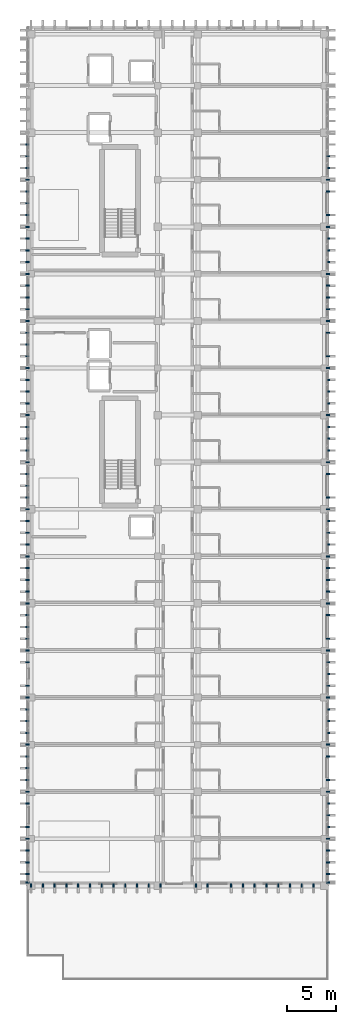
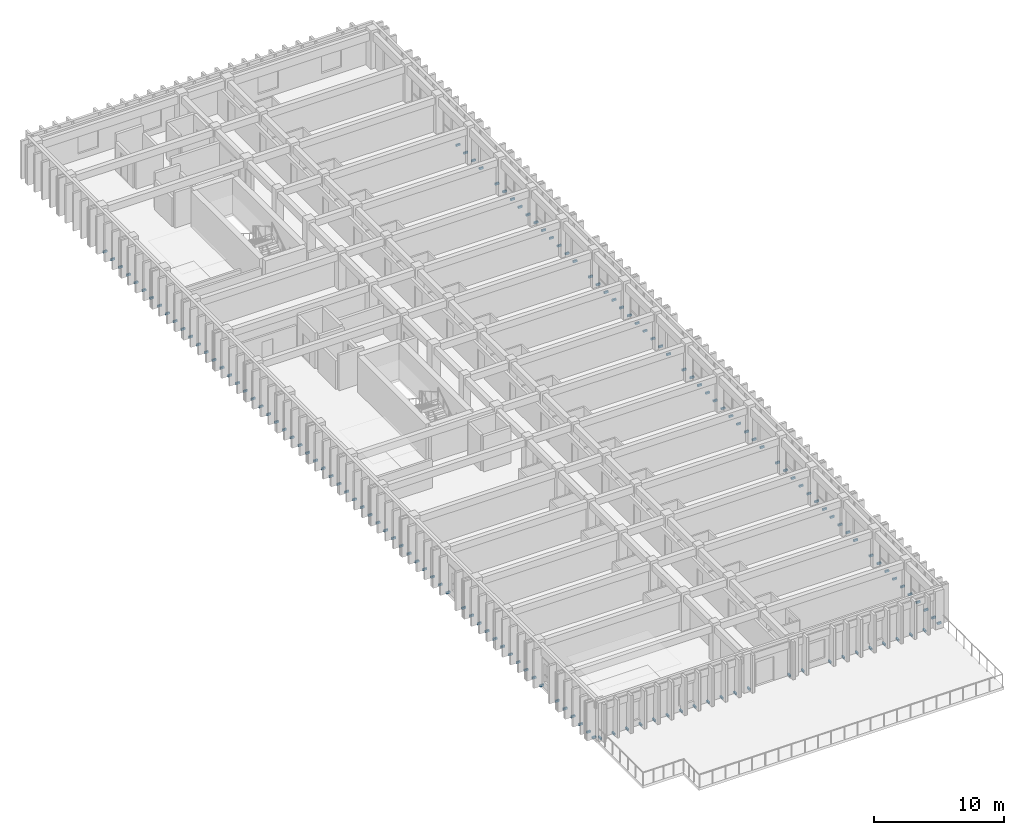
# One storey, part 56 of 64: 142 discrete accessories.
"""IFC4 building model written with IfcOpenShell, lengths in metres."""

from ifc_helpers import new_model, si_unit, direction, frame, origin, origin_2d, place, context, subcontext, project, spatial, rectangle, extrude, material, type_object, element, save


model = new_model("IFC4")

# Units and contexts
model_context = context("Model", 3, precision=1e-05, world=origin(), true_north=direction((0.0, 1.0)))
body_context = subcontext(model_context, "Body", "Model", "MODEL_VIEW")
ifc_project = project(units=[si_unit("LENGTHUNIT", "METRE"), si_unit("AREAUNIT", "SQUARE_METRE"), si_unit("VOLUMEUNIT", "CUBIC_METRE"), si_unit("PLANEANGLEUNIT", "RADIAN"), si_unit("MASSUNIT", "GRAM", prefix="KILO")], contexts=[model_context])

# Site, building, storey
site_placement = place(None, origin())
site = spatial("IfcSite", under=ifc_project, at=site_placement, CompositionType="ELEMENT")
building_placement = place(site_placement, origin())
building = spatial("IfcBuilding", under=site, at=building_placement, Name="Nakhvara Creek Congress Hotel", CompositionType="ELEMENT")
storey_placement = place(building_placement, frame((0.0, 0.0, 28.199951171875)))
storey = spatial("IfcBuildingStorey", under=building, at=storey_placement, Name="L06", CompositionType="ELEMENT", Elevation=28.199951171875)

# Discrete accessories
ifc_material = material(Name="Brushed stainless steel 316L", Category="steel")
discrete_accessory_type = type_object("IfcDiscreteAccessoryType", Name="ACC-BRK-SS316", PredefinedType="BRACKET", material=ifc_material)
for number, where, z_axis, x_axis, name in (
    (1, (179.72998046875, 38.75, -0.10986328125), (0.0, 0.0, 1.0), (0.0, 1.0, 0.0), "Stainless Fin Bracket BK01-1485"),
    (2, (149.070068359375, 38.75, -0.10986328125), (0.0, 0.0, 1.0), (0.0, 1.0, 0.0), "Stainless Fin Bracket BK01-1486"),
    (3, (179.72998046875, 39.60009765625, -0.10986328125), (0.0, 0.0, 1.0), (0.0, 1.0, 0.0), "Stainless Fin Bracket BK01-1487"),
    (4, (149.070068359375, 39.60009765625, -0.10986328125), (0.0, 0.0, 1.0), (0.0, 1.0, 0.0), "Stainless Fin Bracket BK01-1488"),
    (5, (179.72998046875, 40.800048828125, -0.10986328125), (0.0, 0.0, 1.0), (0.0, 1.0, 0.0), "Stainless Fin Bracket BK01-1489"),
    (6, (149.070068359375, 40.800048828125, -0.10986328125), (0.0, 0.0, 1.0), (0.0, 1.0, 0.0), "Stainless Fin Bracket BK01-1490"),
    (7, (179.72998046875, 42.0, -0.10986328125), (0.0, 0.0, 1.0), (0.0, 1.0, 0.0), "Stainless Fin Bracket BK01-1491"),
    (8, (149.070068359375, 42.0, -0.10986328125), (0.0, 0.0, 1.0), (0.0, 1.0, 0.0), "Stainless Fin Bracket BK01-1492"),
    (9, (179.72998046875, 43.199951171875, -0.10986328125), (0.0, 0.0, 1.0), (0.0, 1.0, 0.0), "Stainless Fin Bracket BK01-1493"),
    (10, (149.070068359375, 43.199951171875, -0.10986328125), (0.0, 0.0, 1.0), (0.0, 1.0, 0.0), "Stainless Fin Bracket BK01-1494"),
    (11, (179.72998046875, 44.39990234375, -0.10986328125), (0.0, 0.0, 1.0), (0.0, 1.0, 0.0), "Stainless Fin Bracket BK01-1495"),
    (12, (149.070068359375, 44.39990234375, -0.10986328125), (0.0, 0.0, 1.0), (0.0, 1.0, 0.0), "Stainless Fin Bracket BK01-1496"),
    (13, (179.72998046875, 45.60009765625, -0.10986328125), (0.0, 0.0, 1.0), (0.0, 1.0, 0.0), "Stainless Fin Bracket BK01-1497"),
    (14, (179.72998046875, 46.800048828125, -0.10986328125), (0.0, 0.0, 1.0), (0.0, 1.0, 0.0), "Stainless Fin Bracket BK01-1498"),
    (15, (149.070068359375, 46.800048828125, -0.10986328125), (0.0, 0.0, 1.0), (0.0, 1.0, 0.0), "Stainless Fin Bracket BK01-1499"),
    (16, (179.72998046875, 48.0, -0.10986328125), (0.0, 0.0, 1.0), (0.0, 1.0, 0.0), "Stainless Fin Bracket BK01-1500"),
    (17, (149.070068359375, 48.0, -0.10986328125), (0.0, 0.0, 1.0), (0.0, 1.0, 0.0), "Stainless Fin Bracket BK01-1501"),
    (18, (179.72998046875, 49.199951171875, -0.10986328125), (0.0, 0.0, 1.0), (0.0, 1.0, 0.0), "Stainless Fin Bracket BK01-1502"),
    (19, (149.070068359375, 49.199951171875, -0.10986328125), (0.0, 0.0, 1.0), (0.0, 1.0, 0.0), "Stainless Fin Bracket BK01-1503"),
    (20, (149.070068359375, 50.39990234375, -0.10986328125), (0.0, 0.0, 1.0), (0.0, 1.0, 0.0), "Stainless Fin Bracket BK01-1504"),
    (21, (179.72998046875, 51.60009765625, -0.10986328125), (0.0, 0.0, 1.0), (0.0, 1.0, 0.0), "Stainless Fin Bracket BK01-1505"),
    (22, (149.070068359375, 51.60009765625, -0.10986328125), (0.0, 0.0, 1.0), (0.0, 1.0, 0.0), "Stainless Fin Bracket BK01-1506"),
    (23, (179.72998046875, 52.800048828125, -0.10986328125), (0.0, 0.0, 1.0), (0.0, 1.0, 0.0), "Stainless Fin Bracket BK01-1507"),
    (24, (149.070068359375, 52.800048828125, -0.10986328125), (0.0, 0.0, 1.0), (0.0, 1.0, 0.0), "Stainless Fin Bracket BK01-1508"),
    (25, (179.72998046875, 54.0, -0.10986328125), (0.0, 0.0, 1.0), (0.0, 1.0, 0.0), "Stainless Fin Bracket BK01-1509"),
    (26, (149.070068359375, 54.0, -0.10986328125), (0.0, 0.0, 1.0), (0.0, 1.0, 0.0), "Stainless Fin Bracket BK01-1510"),
    (27, (179.72998046875, 55.199951171875, -0.10986328125), (0.0, 0.0, 1.0), (0.0, 1.0, 0.0), "Stainless Fin Bracket BK01-1511"),
    (28, (149.070068359375, 55.199951171875, -0.10986328125), (0.0, 0.0, 1.0), (0.0, 1.0, 0.0), "Stainless Fin Bracket BK01-1512"),
    (29, (179.72998046875, 56.39990234375, -0.10986328125), (0.0, 0.0, 1.0), (0.0, 1.0, 0.0), "Stainless Fin Bracket BK01-1513"),
    (30, (149.070068359375, 56.39990234375, -0.10986328125), (0.0, 0.0, 1.0), (0.0, 1.0, 0.0), "Stainless Fin Bracket BK01-1514"),
    (31, (179.72998046875, 57.60009765625, -0.10986328125), (0.0, 0.0, 1.0), (0.0, 1.0, 0.0), "Stainless Fin Bracket BK01-1515"),
    (32, (149.070068359375, 57.60009765625, -0.10986328125), (0.0, 0.0, 1.0), (0.0, 1.0, 0.0), "Stainless Fin Bracket BK01-1516"),
    (33, (179.72998046875, 58.800048828125, -0.10986328125), (0.0, 0.0, 1.0), (0.0, 1.0, 0.0), "Stainless Fin Bracket BK01-1517"),
    (34, (149.070068359375, 58.800048828125, -0.10986328125), (0.0, 0.0, 1.0), (0.0, 1.0, 0.0), "Stainless Fin Bracket BK01-1518"),
    (35, (179.72998046875, 60.0, -0.10986328125), (0.0, 0.0, 1.0), (0.0, 1.0, 0.0), "Stainless Fin Bracket BK01-1519"),
    (36, (179.72998046875, 61.199951171875, -0.10986328125), (0.0, 0.0, 1.0), (0.0, 1.0, 0.0), "Stainless Fin Bracket BK01-1520"),
    (37, (149.070068359375, 61.199951171875, -0.10986328125), (0.0, 0.0, 1.0), (0.0, 1.0, 0.0), "Stainless Fin Bracket BK01-1521"),
    (38, (179.72998046875, 62.39990234375, -0.10986328125), (0.0, 0.0, 1.0), (0.0, 1.0, 0.0), "Stainless Fin Bracket BK01-1522"),
    (39, (149.070068359375, 62.39990234375, -0.10986328125), (0.0, 0.0, 1.0), (0.0, 1.0, 0.0), "Stainless Fin Bracket BK01-1523"),
    (40, (179.72998046875, 63.60009765625, -0.10986328125), (0.0, 0.0, 1.0), (0.0, 1.0, 0.0), "Stainless Fin Bracket BK01-1524"),
    (41, (149.070068359375, 63.60009765625, -0.10986328125), (0.0, 0.0, 1.0), (0.0, 1.0, 0.0), "Stainless Fin Bracket BK01-1525"),
    (42, (149.070068359375, 64.800048828125, -0.10986328125), (0.0, 0.0, 1.0), (0.0, 1.0, 0.0), "Stainless Fin Bracket BK01-1526"),
    (43, (179.72998046875, 66.0, -0.10986328125), (0.0, 0.0, 1.0), (0.0, 1.0, 0.0), "Stainless Fin Bracket BK01-1527"),
    (44, (149.070068359375, 66.0, -0.10986328125), (0.0, 0.0, 1.0), (0.0, 1.0, 0.0), "Stainless Fin Bracket BK01-1528"),
    (45, (179.72998046875, 67.199951171875, -0.10986328125), (0.0, 0.0, 1.0), (0.0, 1.0, 0.0), "Stainless Fin Bracket BK01-1529"),
    (46, (149.070068359375, 67.199951171875, -0.10986328125), (0.0, 0.0, 1.0), (0.0, 1.0, 0.0), "Stainless Fin Bracket BK01-1530"),
    (47, (179.72998046875, 68.39990234375, -0.10986328125), (0.0, 0.0, 1.0), (0.0, 1.0, 0.0), "Stainless Fin Bracket BK01-1531"),
    (48, (149.070068359375, 68.39990234375, -0.10986328125), (0.0, 0.0, 1.0), (0.0, 1.0, 0.0), "Stainless Fin Bracket BK01-1532"),
    (49, (179.72998046875, 69.60009765625, -0.10986328125), (0.0, 0.0, 1.0), (0.0, 1.0, 0.0), "Stainless Fin Bracket BK01-1533"),
    (50, (149.070068359375, 69.60009765625, -0.10986328125), (0.0, 0.0, 1.0), (0.0, 1.0, 0.0), "Stainless Fin Bracket BK01-1534"),
    (51, (179.72998046875, 70.800048828125, -0.10986328125), (0.0, 0.0, 1.0), (0.0, 1.0, 0.0), "Stainless Fin Bracket BK01-1535"),
    (52, (149.070068359375, 70.800048828125, -0.10986328125), (0.0, 0.0, 1.0), (0.0, 1.0, 0.0), "Stainless Fin Bracket BK01-1536"),
    (53, (179.72998046875, 72.0, -0.10986328125), (0.0, 0.0, 1.0), (0.0, 1.0, 0.0), "Stainless Fin Bracket BK01-1537"),
    (54, (149.070068359375, 72.0, -0.10986328125), (0.0, 0.0, 1.0), (0.0, 1.0, 0.0), "Stainless Fin Bracket BK01-1538"),
    (55, (179.72998046875, 73.199951171875, -0.10986328125), (0.0, 0.0, 1.0), (0.0, 1.0, 0.0), "Stainless Fin Bracket BK01-1539"),
    (56, (149.070068359375, 73.199951171875, -0.10986328125), (0.0, 0.0, 1.0), (0.0, 1.0, 0.0), "Stainless Fin Bracket BK01-1540"),
    (57, (179.72998046875, 74.39990234375, -0.10986328125), (0.0, 0.0, 1.0), (0.0, 1.0, 0.0), "Stainless Fin Bracket BK01-1541"),
    (58, (149.070068359375, 74.39990234375, -0.10986328125), (0.0, 0.0, 1.0), (0.0, 1.0, 0.0), "Stainless Fin Bracket BK01-1542"),
    (59, (179.72998046875, 75.60009765625, -0.10986328125), (0.0, 0.0, 1.0), (0.0, 1.0, 0.0), "Stainless Fin Bracket BK01-1543"),
    (60, (149.070068359375, 75.60009765625, -0.10986328125), (0.0, 0.0, 1.0), (0.0, 1.0, 0.0), "Stainless Fin Bracket BK01-1544"),
    (61, (179.72998046875, 76.800048828125, -0.10986328125), (0.0, 0.0, 1.0), (0.0, 1.0, 0.0), "Stainless Fin Bracket BK01-1545"),
    (62, (149.070068359375, 76.800048828125, -0.10986328125), (0.0, 0.0, 1.0), (0.0, 1.0, 0.0), "Stainless Fin Bracket BK01-1546"),
    (63, (179.72998046875, 78.0, -0.10986328125), (0.0, 0.0, 1.0), (0.0, 1.0, 0.0), "Stainless Fin Bracket BK01-1547"),
    (64, (149.070068359375, 78.0, -0.10986328125), (0.0, 0.0, 1.0), (0.0, 1.0, 0.0), "Stainless Fin Bracket BK01-1548"),
    (65, (149.070068359375, 79.199951171875, -0.10986328125), (0.0, 0.0, 1.0), (0.0, 1.0, 0.0), "Stainless Fin Bracket BK01-1549"),
    (66, (179.72998046875, 80.39990234375, -0.10986328125), (0.0, 0.0, 1.0), (0.0, 1.0, 0.0), "Stainless Fin Bracket BK01-1550"),
    (67, (149.070068359375, 80.39990234375, -0.10986328125), (0.0, 0.0, 1.0), (0.0, 1.0, 0.0), "Stainless Fin Bracket BK01-1551"),
    (68, (179.72998046875, 81.60009765625, -0.10986328125), (0.0, 0.0, 1.0), (0.0, 1.0, 0.0), "Stainless Fin Bracket BK01-1552"),
    (69, (149.070068359375, 81.60009765625, -0.10986328125), (0.0, 0.0, 1.0), (0.0, 1.0, 0.0), "Stainless Fin Bracket BK01-1553"),
    (70, (179.72998046875, 82.800048828125, -0.10986328125), (0.0, 0.0, 1.0), (0.0, 1.0, 0.0), "Stainless Fin Bracket BK01-1554"),
    (71, (149.070068359375, 82.800048828125, -0.10986328125), (0.0, 0.0, 1.0), (0.0, 1.0, 0.0), "Stainless Fin Bracket BK01-1555"),
    (72, (179.72998046875, 84.0, -0.10986328125), (0.0, 0.0, 1.0), (0.0, 1.0, 0.0), "Stainless Fin Bracket BK01-1556"),
    (73, (149.070068359375, 84.0, -0.10986328125), (0.0, 0.0, 1.0), (0.0, 1.0, 0.0), "Stainless Fin Bracket BK01-1557"),
    (74, (179.72998046875, 85.199951171875, -0.10986328125), (0.0, 0.0, 1.0), (0.0, 1.0, 0.0), "Stainless Fin Bracket BK01-1558"),
    (75, (149.070068359375, 85.199951171875, -0.10986328125), (0.0, 0.0, 1.0), (0.0, 1.0, 0.0), "Stainless Fin Bracket BK01-1559"),
    (76, (179.72998046875, 86.39990234375, -0.10986328125), (0.0, 0.0, 1.0), (0.0, 1.0, 0.0), "Stainless Fin Bracket BK01-1560"),
    (77, (149.070068359375, 86.39990234375, -0.10986328125), (0.0, 0.0, 1.0), (0.0, 1.0, 0.0), "Stainless Fin Bracket BK01-1561"),
    (78, (179.72998046875, 87.60009765625, -0.10986328125), (0.0, 0.0, 1.0), (0.0, 1.0, 0.0), "Stainless Fin Bracket BK01-1562"),
    (79, (149.070068359375, 87.60009765625, -0.10986328125), (0.0, 0.0, 1.0), (0.0, 1.0, 0.0), "Stainless Fin Bracket BK01-1563"),
    (80, (179.72998046875, 88.800048828125, -0.10986328125), (0.0, 0.0, 1.0), (0.0, 1.0, 0.0), "Stainless Fin Bracket BK01-1564"),
    (81, (149.070068359375, 88.800048828125, -0.10986328125), (0.0, 0.0, 1.0), (0.0, 1.0, 0.0), "Stainless Fin Bracket BK01-1565"),
    (82, (179.72998046875, 90.0, -0.10986328125), (0.0, 0.0, 1.0), (0.0, 1.0, 0.0), "Stainless Fin Bracket BK01-1566"),
    (83, (149.070068359375, 90.0, -0.10986328125), (0.0, 0.0, 1.0), (0.0, 1.0, 0.0), "Stainless Fin Bracket BK01-1567"),
    (84, (179.72998046875, 91.199951171875, -0.10986328125), (0.0, 0.0, 1.0), (0.0, 1.0, 0.0), "Stainless Fin Bracket BK01-1568"),
    (85, (149.070068359375, 91.199951171875, -0.10986328125), (0.0, 0.0, 1.0), (0.0, 1.0, 0.0), "Stainless Fin Bracket BK01-1569"),
    (86, (179.72998046875, 92.39990234375, -0.10986328125), (0.0, 0.0, 1.0), (0.0, 1.0, 0.0), "Stainless Fin Bracket BK01-1570"),
    (87, (149.070068359375, 92.39990234375, -0.10986328125), (0.0, 0.0, 1.0), (0.0, 1.0, 0.0), "Stainless Fin Bracket BK01-1571"),
    (88, (149.070068359375, 93.60009765625, -0.10986328125), (0.0, 0.0, 1.0), (0.0, 1.0, 0.0), "Stainless Fin Bracket BK01-1572"),
    (89, (179.72998046875, 94.800048828125, -0.10986328125), (0.0, 0.0, 1.0), (0.0, 1.0, 0.0), "Stainless Fin Bracket BK01-1573"),
    (90, (149.070068359375, 94.800048828125, -0.10986328125), (0.0, 0.0, 1.0), (0.0, 1.0, 0.0), "Stainless Fin Bracket BK01-1574"),
    (91, (179.72998046875, 96.0, -0.10986328125), (0.0, 0.0, 1.0), (0.0, 1.0, 0.0), "Stainless Fin Bracket BK01-1575"),
    (92, (149.070068359375, 96.0, -0.10986328125), (0.0, 0.0, 1.0), (0.0, 1.0, 0.0), "Stainless Fin Bracket BK01-1576"),
    (93, (179.72998046875, 97.199951171875, -0.10986328125), (0.0, 0.0, 1.0), (0.0, 1.0, 0.0), "Stainless Fin Bracket BK01-1577"),
    (94, (149.070068359375, 97.199951171875, -0.10986328125), (0.0, 0.0, 1.0), (0.0, 1.0, 0.0), "Stainless Fin Bracket BK01-1578"),
    (95, (179.72998046875, 98.39990234375, -0.10986328125), (0.0, 0.0, 1.0), (0.0, 1.0, 0.0), "Stainless Fin Bracket BK01-1579"),
    (96, (149.070068359375, 98.39990234375, -0.10986328125), (0.0, 0.0, 1.0), (0.0, 1.0, 0.0), "Stainless Fin Bracket BK01-1580"),
    (97, (179.72998046875, 99.60009765625, -0.10986328125), (0.0, 0.0, 1.0), (0.0, 1.0, 0.0), "Stainless Fin Bracket BK01-1581"),
    (98, (149.070068359375, 99.60009765625, -0.10986328125), (0.0, 0.0, 1.0), (0.0, 1.0, 0.0), "Stainless Fin Bracket BK01-1582"),
    (99, (179.72998046875, 100.800048828125, -0.10986328125), (0.0, 0.0, 1.0), (0.0, 1.0, 0.0), "Stainless Fin Bracket BK01-1583"),
    (100, (149.070068359375, 100.800048828125, -0.10986328125), (0.0, 0.0, 1.0), (0.0, 1.0, 0.0), "Stainless Fin Bracket BK01-1584"),
    (101, (179.72998046875, 102.0, -0.10986328125), (0.0, 0.0, 1.0), (0.0, 1.0, 0.0), "Stainless Fin Bracket BK01-1585"),
    (102, (149.070068359375, 102.0, -0.10986328125), (0.0, 0.0, 1.0), (0.0, 1.0, 0.0), "Stainless Fin Bracket BK01-1586"),
    (103, (179.72998046875, 103.199951171875, -0.10986328125), (0.0, 0.0, 1.0), (0.0, 1.0, 0.0), "Stainless Fin Bracket BK01-1587"),
    (104, (149.070068359375, 103.199951171875, -0.10986328125), (0.0, 0.0, 1.0), (0.0, 1.0, 0.0), "Stainless Fin Bracket BK01-1588"),
    (105, (179.72998046875, 104.39990234375, -0.10986328125), (0.0, 0.0, 1.0), (0.0, 1.0, 0.0), "Stainless Fin Bracket BK01-1589"),
    (106, (149.070068359375, 104.39990234375, -0.10986328125), (0.0, 0.0, 1.0), (0.0, 1.0, 0.0), "Stainless Fin Bracket BK01-1590"),
    (107, (179.72998046875, 105.60009765625, -0.10986328125), (0.0, 0.0, 1.0), (0.0, 1.0, 0.0), "Stainless Fin Bracket BK01-1591"),
    (108, (149.070068359375, 105.60009765625, -0.10986328125), (0.0, 0.0, 1.0), (0.0, 1.0, 0.0), "Stainless Fin Bracket BK01-1592"),
    (109, (179.72998046875, 106.800048828125, -0.10986328125), (0.0, 0.0, 1.0), (0.0, 1.0, 0.0), "Stainless Fin Bracket BK01-1593"),
    (110, (149.070068359375, 106.800048828125, -0.10986328125), (0.0, 0.0, 1.0), (0.0, 1.0, 0.0), "Stainless Fin Bracket BK01-1594"),
    (111, (149.070068359375, 108.0, -0.10986328125), (0.0, 0.0, 1.0), (0.0, 1.0, 0.0), "Stainless Fin Bracket BK01-1595"),
    (112, (179.72998046875, 109.199951171875, -0.10986328125), (0.0, 0.0, 1.0), (0.0, 1.0, 0.0), "Stainless Fin Bracket BK01-1596"),
    (113, (149.070068359375, 109.199951171875, -0.10986328125), (0.0, 0.0, 1.0), (0.0, 1.0, 0.0), "Stainless Fin Bracket BK01-1597"),
    (114, (179.72998046875, 110.39990234375, -0.10986328125), (0.0, 0.0, 1.0), (0.0, 1.0, 0.0), "Stainless Fin Bracket BK01-1598"),
    (115, (149.070068359375, 110.39990234375, -0.10986328125), (0.0, 0.0, 1.0), (0.0, 1.0, 0.0), "Stainless Fin Bracket BK01-1599"),
    (116, (179.72998046875, 111.60009765625, -0.10986328125), (0.0, 0.0, 1.0), (0.0, 1.0, 0.0), "Stainless Fin Bracket BK01-1600"),
    (117, (149.070068359375, 111.60009765625, -0.10986328125), (0.0, 0.0, 1.0), (0.0, 1.0, 0.0), "Stainless Fin Bracket BK01-1601"),
    (118, (179.72998046875, 112.800048828125, -0.10986328125), (0.0, 0.0, 1.0), (0.0, 1.0, 0.0), "Stainless Fin Bracket BK01-1602"),
    (119, (149.070068359375, 112.800048828125, -0.10986328125), (0.0, 0.0, 1.0), (0.0, 1.0, 0.0), "Stainless Fin Bracket BK01-1603"),
    (120, (149.070068359375, 114.0, -0.10986328125), (0.0, 0.0, 1.0), (0.0, 1.0, 0.0), "Stainless Fin Bracket BK01-1605"),
    (121, (149.449951171875, 38.4599609375, -0.10986328125), (0.0, 0.0, 1.0), (1.0, 0.0, 0.0), "Stainless Fin Bracket BK01-1626"),
    (122, (150.64990234375, 38.4599609375, -0.10986328125), (0.0, 0.0, 1.0), (1.0, 0.0, 0.0), "Stainless Fin Bracket BK01-1628"),
    (123, (151.85009765625, 38.4599609375, -0.10986328125), (0.0, 0.0, 1.0), (1.0, 0.0, 0.0), "Stainless Fin Bracket BK01-1630"),
    (124, (153.050048828125, 38.4599609375, -0.10986328125), (0.0, 0.0, 1.0), (1.0, 0.0, 0.0), "Stainless Fin Bracket BK01-1632"),
    (125, (154.25, 38.4599609375, -0.10986328125), (0.0, 0.0, 1.0), (1.0, 0.0, 0.0), "Stainless Fin Bracket BK01-1633"),
    (126, (155.449951171875, 38.4599609375, -0.10986328125), (0.0, 0.0, 1.0), (1.0, 0.0, 0.0), "Stainless Fin Bracket BK01-1635"),
    (127, (156.64990234375, 38.4599609375, -0.10986328125), (0.0, 0.0, 1.0), (1.0, 0.0, 0.0), "Stainless Fin Bracket BK01-1637"),
    (128, (157.85009765625, 38.4599609375, -0.10986328125), (0.0, 0.0, 1.0), (1.0, 0.0, 0.0), "Stainless Fin Bracket BK01-1639"),
    (129, (159.050048828125, 38.4599609375, -0.10986328125), (0.0, 0.0, 1.0), (1.0, 0.0, 0.0), "Stainless Fin Bracket BK01-1641"),
    (130, (160.25, 38.4599609375, -0.10986328125), (0.0, 0.0, 1.0), (1.0, 0.0, 0.0), "Stainless Fin Bracket BK01-1643"),
    (131, (161.449951171875, 38.4599609375, -0.10986328125), (0.0, 0.0, 1.0), (1.0, 0.0, 0.0), "Stainless Fin Bracket BK01-1645"),
    (132, (162.64990234375, 38.4599609375, -0.10986328125), (0.0, 0.0, 1.0), (1.0, 0.0, 0.0), "Stainless Fin Bracket BK01-1647"),
    (133, (166.25, 38.4599609375, -0.10986328125), (0.0, 0.0, 1.0), (1.0, 0.0, 0.0), "Stainless Fin Bracket BK01-1651"),
    (134, (167.449951171875, 38.4599609375, -0.10986328125), (0.0, 0.0, 1.0), (1.0, 0.0, 0.0), "Stainless Fin Bracket BK01-1653"),
    (135, (169.85009765625, 38.4599609375, -0.10986328125), (0.0, 0.0, 1.0), (1.0, 0.0, 0.0), "Stainless Fin Bracket BK01-1656"),
    (136, (171.050048828125, 38.4599609375, -0.10986328125), (0.0, 0.0, 1.0), (1.0, 0.0, 0.0), "Stainless Fin Bracket BK01-1658"),
    (137, (172.25, 38.4599609375, -0.10986328125), (0.0, 0.0, 1.0), (1.0, 0.0, 0.0), "Stainless Fin Bracket BK01-1660"),
    (138, (173.449951171875, 38.4599609375, -0.10986328125), (0.0, 0.0, 1.0), (1.0, 0.0, 0.0), "Stainless Fin Bracket BK01-1662"),
    (139, (174.64990234375, 38.4599609375, -0.10986328125), (0.0, 0.0, 1.0), (1.0, 0.0, 0.0), "Stainless Fin Bracket BK01-1664"),
    (140, (175.85009765625, 38.4599609375, -0.10986328125), (0.0, 0.0, 1.0), (1.0, 0.0, 0.0), "Stainless Fin Bracket BK01-1665"),
    (141, (177.050048828125, 38.4599609375, -0.10986328125), (0.0, 0.0, 1.0), (1.0, 0.0, 0.0), "Stainless Fin Bracket BK01-1667"),
    (142, (178.25, 38.4599609375, -0.10986328125), (0.0, 0.0, 1.0), (1.0, 0.0, 0.0), "Stainless Fin Bracket BK01-1669"),
):
    element("IfcDiscreteAccessory", number, at=place(storey_placement, frame(where, z_axis=z_axis, x_axis=x_axis)), inside=storey, type_object=discrete_accessory_type, Name=name, PredefinedType="BRACKET", context=body_context, shape_type="SweptSolid", body=[
        extrude(rectangle(XDim=0.139892578125, YDim=0.360107421875, at=origin_2d()), origin(), (0.0, 0.0, 1.0), 0.179931640625),
    ])

save(model, "model.ifc")
